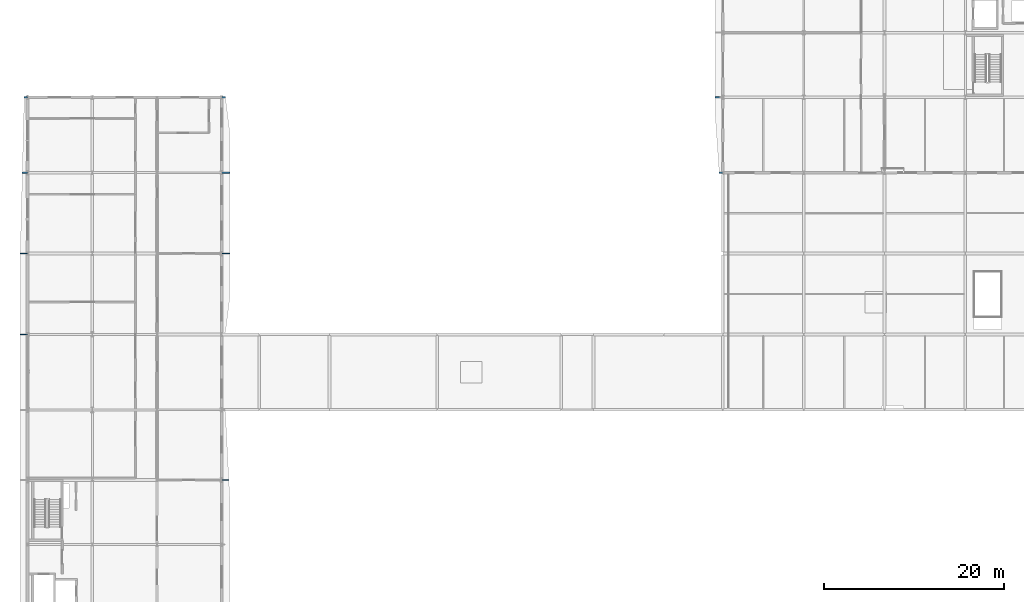
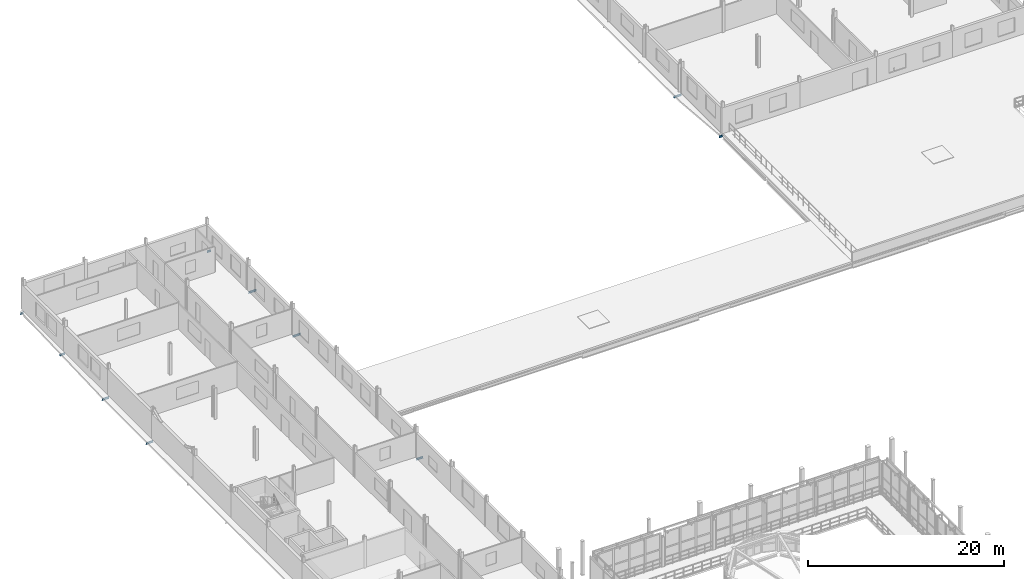
# One storey, part 48 of 78: 10 beams.
"""IFC4 building model written with IfcOpenShell, lengths in metres."""

from ifc_helpers import new_model, si_unit, direction, frame, origin, origin_2d, place, context, subcontext, project, spatial, i_section, extrude, material, material_profile, profile_set, type_object, element, save


model = new_model("IFC4")

# Units and contexts
model_context = context("Model", 3, precision=1e-05, world=origin(), true_north=direction((0.0, 1.0)))
body_context = subcontext(model_context, "Body", "Model", "MODEL_VIEW")
ifc_project = project(units=[si_unit("LENGTHUNIT", "METRE"), si_unit("AREAUNIT", "SQUARE_METRE"), si_unit("VOLUMEUNIT", "CUBIC_METRE"), si_unit("PLANEANGLEUNIT", "RADIAN"), si_unit("MASSUNIT", "GRAM", prefix="KILO")], contexts=[model_context])

# Site, building, storey
site_placement = place(None, origin())
site = spatial("IfcSite", under=ifc_project, at=site_placement, CompositionType="ELEMENT")
building_placement = place(site_placement, origin())
building = spatial("IfcBuilding", under=site, at=building_placement, Name="Vinh Khe Railworks Police Headquarters", CompositionType="ELEMENT")
storey_placement = place(building_placement, frame((0.0, 0.0, 13.199951171875)))
storey = spatial("IfcBuildingStorey", under=building, at=storey_placement, Name="L03", CompositionType="ELEMENT", Elevation=13.199951171875)

# Beams
ifc_material = material(Name="Steel S355JR", Category="steel")
ifc_material_profile = material_profile(ifc_material, i_section(OverallWidth=0.1201171875, OverallDepth=0.239990234375, WebThickness=0.006103515625, FlangeThickness=0.009765625, FilletRadius=0.014892578125, at=origin_2d()), Name="IPE 240")
ifc_profile_set = profile_set([ifc_material_profile], Name="Steel S355JR")
beam_type = type_object("IfcBeamType", Name="Monsoon Hood Outrigger IPE 240", PredefinedType="BEAM", material=ifc_profile_set)
beam_1_placement = place(storey_placement, frame((-0.25, 104.39990234375, -0.35986328125), z_axis=(1.0, 0.0, 0.0), x_axis=(0.0, 1.0, 0.0)))
element("IfcBeam", 1, at=beam_1_placement, inside=storey, type_object=beam_type, Name="Monsoon Sun-Hood Outrigger L03-049", PredefinedType="BEAM", context=body_context, shape_type="SweptSolid", body=[
    extrude(i_section(OverallWidth=0.1201171875, OverallDepth=0.239990234375, WebThickness=0.006103515625, FlangeThickness=0.009765625, FilletRadius=0.014892578125, at=origin_2d()), origin(), (0.0, 0.0, 1.0), 0.85009765625),
])
beam_2_placement = place(storey_placement, frame((-0.231201171875, 113.39990234375, -0.35986328125), z_axis=(1.0, 0.0, 0.0), x_axis=(0.0, 1.0, 0.0)))
element("IfcBeam", 2, at=beam_2_placement, inside=storey, type_object=beam_type, Name="Monsoon Sun-Hood Outrigger L03-050", PredefinedType="BEAM", context=body_context, shape_type="SweptSolid", body=[
    extrude(i_section(OverallWidth=0.1201171875, OverallDepth=0.239990234375, WebThickness=0.006103515625, FlangeThickness=0.009765625, FilletRadius=0.014892578125, at=origin_2d()), origin(), (0.0, 0.0, 1.0), 0.831298828125),
])
beam_3_placement = place(storey_placement, frame((-0.002197265625, 122.39990234375, -0.35986328125), z_axis=(1.0, 0.0, 0.0), x_axis=(0.0, 1.0, 0.0)))
element("IfcBeam", 3, at=beam_3_placement, inside=storey, type_object=beam_type, Name="Monsoon Sun-Hood Outrigger L03-051", PredefinedType="BEAM", context=body_context, shape_type="SweptSolid", body=[
    extrude(i_section(OverallWidth=0.1201171875, OverallDepth=0.239990234375, WebThickness=0.006103515625, FlangeThickness=0.009765625, FilletRadius=0.014892578125, at=origin_2d()), origin(), (0.0, 0.0, 1.0), 0.602294921875),
])
beam_4_placement = place(storey_placement, frame((0.21142578125, 130.800048828125, -0.35986328125), z_axis=(1.0, 0.0, 0.0), x_axis=(0.0, 1.0, 0.0)))
element("IfcBeam", 4, at=beam_4_placement, inside=storey, type_object=beam_type, Name="Monsoon Sun-Hood Outrigger L03-052", PredefinedType="BEAM", context=body_context, shape_type="SweptSolid", body=[
    extrude(i_section(OverallWidth=0.1201171875, OverallDepth=0.239990234375, WebThickness=0.006103515625, FlangeThickness=0.009765625, FilletRadius=0.014892578125, at=origin_2d()), origin(), (0.0, 0.0, 1.0), 0.388671875),
])
beam_5_placement = place(storey_placement, frame((22.199951171875, 88.199951171875, -0.35986328125), z_axis=(1.0, 0.0, 0.0), x_axis=(0.0, 1.0, 0.0)))
element("IfcBeam", 5, at=beam_5_placement, inside=storey, type_object=beam_type, Name="Monsoon Sun-Hood Outrigger L03-057", PredefinedType="BEAM", context=body_context, shape_type="SweptSolid", body=[
    extrude(i_section(OverallWidth=0.1201171875, OverallDepth=0.239990234375, WebThickness=0.006103515625, FlangeThickness=0.009765625, FilletRadius=0.014892578125, at=origin_2d()), origin(), (0.0, 0.0, 1.0), 0.808349609375),
])
for number, where, z_axis, x_axis, name in (
    (6, (22.199951171875, 113.39990234375, -0.35986328125), (1.0, 0.0, 0.0), (0.0, 1.0, 0.0), "Monsoon Sun-Hood Outrigger L03-058"),
    (7, (22.199951171875, 122.39990234375, -0.35986328125), (1.0, 0.0, 0.0), (0.0, 1.0, 0.0), "Monsoon Sun-Hood Outrigger L03-059"),
):
    element("IfcBeam", number, at=place(storey_placement, frame(where, z_axis=z_axis, x_axis=x_axis)), inside=storey, type_object=beam_type, Name=name, PredefinedType="BEAM", context=body_context, shape_type="SweptSolid", body=[
        extrude(i_section(OverallWidth=0.1201171875, OverallDepth=0.239990234375, WebThickness=0.006103515625, FlangeThickness=0.009765625, FilletRadius=0.014892578125, at=origin_2d()), origin(), (0.0, 0.0, 1.0), 0.949951171875),
    ])
beam_6_placement = place(storey_placement, frame((22.199951171875, 130.800048828125, -0.35986328125), z_axis=(1.0, 0.0, 0.0), x_axis=(0.0, 1.0, 0.0)))
element("IfcBeam", 8, at=beam_6_placement, inside=storey, type_object=beam_type, Name="Monsoon Sun-Hood Outrigger L03-060", PredefinedType="BEAM", context=body_context, shape_type="SweptSolid", body=[
    extrude(i_section(OverallWidth=0.1201171875, OverallDepth=0.239990234375, WebThickness=0.006103515625, FlangeThickness=0.009765625, FilletRadius=0.014892578125, at=origin_2d()), origin(), (0.0, 0.0, 1.0), 0.423583984375),
])
beam_7_placement = place(storey_placement, frame((77.58740234375, 122.39990234375, -0.35986328125), z_axis=(1.0, 0.0, 0.0), x_axis=(0.0, 1.0, 0.0)))
element("IfcBeam", 9, at=beam_7_placement, inside=storey, type_object=beam_type, Name="Monsoon Sun-Hood Outrigger L03-191", PredefinedType="BEAM", context=body_context, shape_type="SweptSolid", body=[
    extrude(i_section(OverallWidth=0.1201171875, OverallDepth=0.239990234375, WebThickness=0.006103515625, FlangeThickness=0.009765625, FilletRadius=0.014892578125, at=origin_2d()), origin(), (0.0, 0.0, 1.0), 0.41259765625),
])
beam_8_placement = place(storey_placement, frame((77.10009765625, 130.800048828125, -0.35986328125), z_axis=(1.0, 0.0, 0.0), x_axis=(0.0, 1.0, 0.0)))
element("IfcBeam", 10, at=beam_8_placement, inside=storey, type_object=beam_type, Name="Monsoon Sun-Hood Outrigger L03-192", PredefinedType="BEAM", context=body_context, shape_type="SweptSolid", body=[
    extrude(i_section(OverallWidth=0.1201171875, OverallDepth=0.239990234375, WebThickness=0.006103515625, FlangeThickness=0.009765625, FilletRadius=0.014892578125, at=origin_2d()), origin(), (0.0, 0.0, 1.0), 0.89990234375),
])

save(model, "model.ifc")
